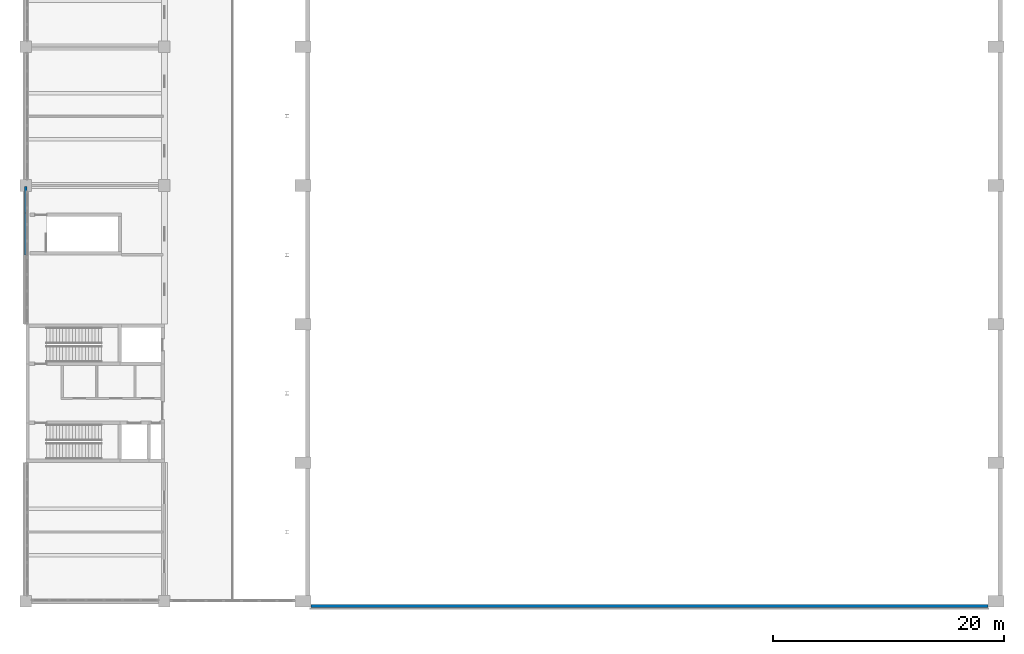
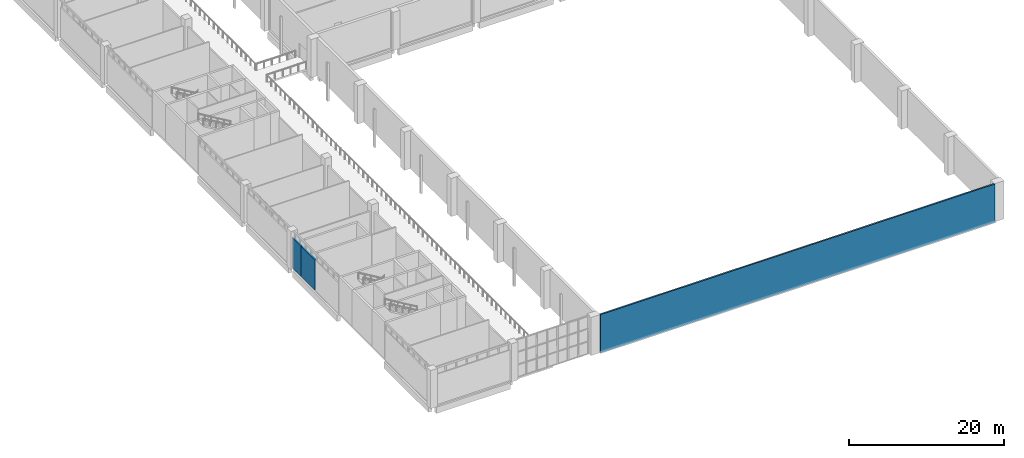
# One storey, part 51 of 72: 3 walls.
"""IFC4 building model written with IfcOpenShell, lengths in metres."""

import ifcopenshell
import ifcopenshell.guid

model = None  # the IFC model being written
_history = None  # IfcOwnerHistory: only IFC2X3 demands one
_inside = {}  # id of a spatial element -> (the spatial element, [elements in it])
_under = {}  # id of a project, library or spatial element -> (it, [spatial elements below it])
_declared = {}  # id of a project -> (the project, [libraries it declares])
_typed = {}  # id of a type object -> (the type object, [elements of that type])
_made_of = {}  # id of a material, layer set ... -> (it, [elements and type objects made of it])


def new_model(schema):
    """Start an empty IFC model of exactly this schema.

    Asked for "IFC4X3", IfcOpenShell would pick the latest addendum, in which some entities
    have other attributes; the version numbers below select the first issue.
    IFC2X3 requires an IfcOwnerHistory on every rooted entity: one is made here for all.
    """
    global model, _history
    if schema == "IFC4X3":
        model = ifcopenshell.file(schema_version=(4, 3, 0, 0))
    else:
        model = ifcopenshell.file(schema=schema)
    _inside.clear()
    _under.clear()
    _declared.clear()
    _typed.clear()
    _made_of.clear()
    _history = None
    if model.schema == "IFC2X3":
        org = make("IfcOrganization", Name="unknown")
        user = make(
            "IfcPersonAndOrganization",
            ThePerson=make("IfcPerson", FamilyName="unknown"),
            TheOrganization=org,
        )
        app = make(
            "IfcApplication",
            ApplicationDeveloper=org,
            Version="unknown",
            ApplicationFullName="unknown",
            ApplicationIdentifier="unknown",
        )
        _history = make(
            "IfcOwnerHistory",
            OwningUser=user,
            OwningApplication=app,
            ChangeAction="ADDED",
            CreationDate=0,
        )
    return model


def make(cls, **values):
    """One entity of the class cls with the attributes given. An attribute that is None is left unset."""
    return model.create_entity(
        cls, **{name: value for name, value in values.items() if value is not None}
    )


def rooted(cls, **values):
    """An entity with a GlobalId (a new one), such as an element, a storey or a relation."""
    return make(cls, GlobalId=ifcopenshell.guid.new(), OwnerHistory=_history, **values)


def si_unit(unit_type, name, prefix=None):
    """IfcSIUnit, for example si_unit("LENGTHUNIT", "METRE", prefix="MILLI")."""
    return make("IfcSIUnit", UnitType=unit_type, Prefix=prefix, Name=name)


def assignment(units):
    """IfcUnitAssignment: the units of a project."""
    return None if units is None else make("IfcUnitAssignment", Units=units)


def point(xyz):
    """IfcCartesianPoint."""
    return None if xyz is None else make("IfcCartesianPoint", Coordinates=xyz)


def direction(xyz):
    """IfcDirection."""
    return None if xyz is None else make("IfcDirection", DirectionRatios=xyz)


def frame(location, z_axis=None, x_axis=None):
    """IfcAxis2Placement3D, a coordinate frame: its origin and axes. An axis left out is left unset."""
    return make(
        "IfcAxis2Placement3D",
        Location=point(location),
        Axis=direction(z_axis),
        RefDirection=direction(x_axis),
    )


def frame_2d(location, x_axis=None):
    """IfcAxis2Placement2D, a coordinate frame in the plane: its origin and x axis."""
    return make(
        "IfcAxis2Placement2D", Location=point(location), RefDirection=direction(x_axis)
    )


def origin():
    """The frame at (0, 0, 0) with its axes left unset."""
    return frame((0.0, 0.0, 0.0))


def place(relative_to, where):
    """IfcLocalPlacement: puts the frame where relative to a parent placement (None: the world)."""
    return make(
        "IfcLocalPlacement", PlacementRelTo=relative_to, RelativePlacement=where
    )


def context(
    kind, dimensions, precision=None, world=None, true_north=None, identifier=None
):
    """IfcGeometricRepresentationContext, for example the 3D "Model" context."""
    return make(
        "IfcGeometricRepresentationContext",
        ContextIdentifier=identifier,
        ContextType=kind,
        CoordinateSpaceDimension=dimensions,
        Precision=precision,
        WorldCoordinateSystem=world,
        TrueNorth=true_north,
    )


def subcontext(parent, identifier, kind, view, scale=None):
    """IfcGeometricRepresentationSubContext, for example "Body" below "Model"."""
    return make(
        "IfcGeometricRepresentationSubContext",
        ContextIdentifier=identifier,
        ContextType=kind,
        ParentContext=parent,
        TargetScale=scale,
        TargetView=view,
    )


def project(units=None, contexts=None):
    """IfcProject with its units and contexts."""
    return rooted(
        "IfcProject",
        Name="project",
        RepresentationContexts=contexts,
        UnitsInContext=assignment(units),
    )


def spatial(cls, under=None, at=None, **own):
    """A site, building, storey or space (cls), placed at a placement, below another one or the project."""
    s = rooted(cls, ObjectPlacement=at, **own)
    if under is not None:
        _under.setdefault(under.id(), (under, []))[1].append(s)
    return s


def profile(cls, at=None, kind="AREA", **sizes):
    """A parametric profile (cls). Its sizes go by their IFC names, for example OverallWidth=200.0."""
    return make(cls, ProfileType=kind, Position=at, **sizes)


def rectangle(**sizes):
    """IfcRectangleProfileDef."""
    return profile("IfcRectangleProfileDef", **sizes)


def extrude(swept, where, along, depth):
    """IfcExtrudedAreaSolid: the profile swept, set in the frame where, extruded along a direction by depth."""
    return make(
        "IfcExtrudedAreaSolid",
        SweptArea=swept,
        Position=where,
        ExtrudedDirection=direction(along),
        Depth=depth,
    )


def shape(context_of_items, identifier, shape_type, items):
    """IfcShapeRepresentation: the items that make up one representation, for example the "Body"."""
    return make(
        "IfcShapeRepresentation",
        ContextOfItems=context_of_items,
        RepresentationIdentifier=identifier,
        RepresentationType=shape_type,
        Items=items,
    )


def material(Name=None, Category=None):
    """IfcMaterial."""
    return make("IfcMaterial", Name=Name, Category=Category)


def layer(
    of_material, thickness, ventilated=None, Name=None, Category=None, Priority=None
):
    """IfcMaterialLayer: one layer of a wall or slab, of a material (None: an air gap)."""
    return make(
        "IfcMaterialLayer",
        Material=of_material,
        LayerThickness=thickness,
        IsVentilated=ventilated,
        Name=Name,
        Category=Category,
        Priority=Priority,
    )


def layer_set(layers, Name=None):
    """IfcMaterialLayerSet."""
    return make("IfcMaterialLayerSet", MaterialLayers=layers, LayerSetName=Name)


def made_of(thing, what):
    """Note that an element or type object is made of a material, layer set ...; save() writes the relation."""
    if what is not None:
        _made_of.setdefault(what.id(), (what, []))[1].append(thing)
    return thing


def type_object(cls, material=None, **own):
    """A type object (cls), such as IfcWallType, which elements share."""
    return made_of(rooted(cls, **own), material)


def element(
    cls,
    number,
    at=None,
    inside=None,
    cuts=None,
    type_object=None,
    material=None,
    context=None,
    identifier="Body",
    shape_type=None,
    held_by="IfcProductDefinitionShape",
    body=None,
    shapes=None,
    **own,
):
    """One element of the class cls, such as IfcWall. Its Tag is "e" and its number.

    at: its placement. inside: the storey or other place that contains it. cuts: it is an
    opening in that element (IfcRelVoidsElement). A single representation is given by context,
    identifier, shape_type and body (its items); several are given by shapes. held_by: the class
    of the entity that holds the representations. save() writes the other relations.
    """
    e = rooted(cls, Tag="e%d" % number, ObjectPlacement=at, **own)
    if body is not None:
        shapes = [shape(context, identifier, shape_type, body)]
    if shapes is not None:
        e.Representation = make(held_by, Representations=shapes)
    if inside is not None:
        _inside.setdefault(inside.id(), (inside, []))[1].append(e)
    if cuts is not None:
        rooted(
            "IfcRelVoidsElement", RelatingBuildingElement=cuts, RelatedOpeningElement=e
        )
    if type_object is not None:
        _typed.setdefault(type_object.id(), (type_object, []))[1].append(e)
    return made_of(e, material)


def aggregate(whole, parts):
    """IfcRelAggregates: a whole, such as a stair, and the parts it consists of."""
    return rooted("IfcRelAggregates", RelatingObject=whole, RelatedObjects=parts)


def save(model, path):
    """Write the relations noted so far, then the file.

    IfcRelAggregates (storeys below a building ...), IfcRelContainedInSpatialStructure (elements
    in a storey), IfcRelDefinesByType, IfcRelAssociatesMaterial and IfcRelDeclares: one each for
    every whole, place, type object, material and project.
    """
    for whole, parts in _under.values():
        aggregate(whole, parts)
    for where, things in _inside.values():
        rooted(
            "IfcRelContainedInSpatialStructure",
            RelatedElements=things,
            RelatingStructure=where,
        )
    for kind, things in _typed.values():
        rooted("IfcRelDefinesByType", RelatedObjects=things, RelatingType=kind)
    for what, things in _made_of.values():
        rooted("IfcRelAssociatesMaterial", RelatedObjects=things, RelatingMaterial=what)
    for by, libraries in _declared.values():
        rooted("IfcRelDeclares", RelatingContext=by, RelatedDefinitions=libraries)
    model.write(path)


model = new_model("IFC4")

# Units and contexts
model_context = context("Model", 3, precision=1e-05, world=origin(), true_north=direction((0.0, 1.0)))
body_context = subcontext(model_context, "Body", "Model", "MODEL_VIEW")
ifc_project = project(units=[si_unit("LENGTHUNIT", "METRE"), si_unit("AREAUNIT", "SQUARE_METRE"), si_unit("VOLUMEUNIT", "CUBIC_METRE"), si_unit("PLANEANGLEUNIT", "RADIAN"), si_unit("MASSUNIT", "GRAM", prefix="KILO")], contexts=[model_context])

# Site, building, storey
site_placement = place(None, origin())
site = spatial("IfcSite", under=ifc_project, at=site_placement, CompositionType="ELEMENT")
building_placement = place(site_placement, origin())
building = spatial("IfcBuilding", under=site, at=building_placement, Name="Lilac Gate Convention Centre", CompositionType="ELEMENT")
storey_placement = place(building_placement, frame((0.0, 0.0, 6.0)))
storey = spatial("IfcBuildingStorey", under=building, at=storey_placement, Name="L01", CompositionType="ELEMENT", Elevation=6.0)

# Walls
ifc_material_1 = material(Name="Insulated sandwich panel, steel faces Q235, mineral wool core", Category="steel")
ifc_layer_1 = layer(ifc_material_1, 0.25)
ifc_layer_set_1 = layer_set([ifc_layer_1], Name="Insulated sandwich panel, steel faces Q235, mineral wool core")
wall_type_1 = type_object("IfcWallType", Name="Hall insulated wall panel 250", PredefinedType="STANDARD", material=ifc_layer_set_1)
wall_1_placement = place(storey_placement, frame((30.699951171875, 29.574951171875, 0.0), z_axis=(0.0, 0.0, 1.0), x_axis=(1.0, 0.0, 0.0)))
element("IfcWall", 1, at=wall_1_placement, inside=storey, type_object=wall_type_1, Name="External wall hall south HS L01 1", PredefinedType="STANDARD", context=body_context, shape_type="SweptSolid", body=[
    extrude(rectangle(XDim=58.60009765625, YDim=0.25, at=frame_2d((29.300048828125, 0.0))), origin(), (0.0, 0.0, 1.0), 6.0),
])
ifc_material_2 = material(Name="Clay brick masonry", Category="masonry")
ifc_layer_2 = layer(ifc_material_2, 0.199951171875)
ifc_layer_set_2 = layer_set([ifc_layer_2], Name="Clay brick masonry")
wall_type_2 = type_object("IfcWallType", Name="Partition 200 brick EI 120", PredefinedType="PARTITIONING", material=ifc_layer_set_2)
wall_2_placement = place(storey_placement, frame((6.0, 60.0, 0.0), z_axis=(0.0, 0.0, 1.0), x_axis=(0.0, 1.0, 0.0)))
element("IfcWall", 2, at=wall_2_placement, inside=storey, type_object=wall_type_2, Name="Partition 200 brick EI 120", PredefinedType="PARTITIONING", context=body_context, shape_type="SweptSolid", body=[
    extrude(rectangle(XDim=3.60009765625, YDim=0.199951171875, at=frame_2d((1.800048828125, 0.0))), origin(), (0.0, 0.0, 1.0), 4.75),
])
ifc_layer_3 = layer(ifc_material_2, 0.199951171875)
ifc_layer_set_3 = layer_set([ifc_layer_3], Name="Clay brick masonry")
wall_type_3 = type_object("IfcWallType", Name="Partition 200 brick EI 60", PredefinedType="PARTITIONING", material=ifc_layer_set_3)
wall_3_placement = place(storey_placement, frame((6.0, 63.60009765625, 0.0), z_axis=(0.0, 0.0, 1.0), x_axis=(0.0, 1.0, 0.0)))
element("IfcWall", 3, at=wall_3_placement, inside=storey, type_object=wall_type_3, Name="Partition 200 brick EI 60", PredefinedType="PARTITIONING", context=body_context, shape_type="SweptSolid", body=[
    extrude(rectangle(XDim=2.2998046875, YDim=0.199951171875, at=frame_2d((1.14990234375, 0.0))), origin(), (0.0, 0.0, 1.0), 4.75),
])

save(model, "model.ifc")
